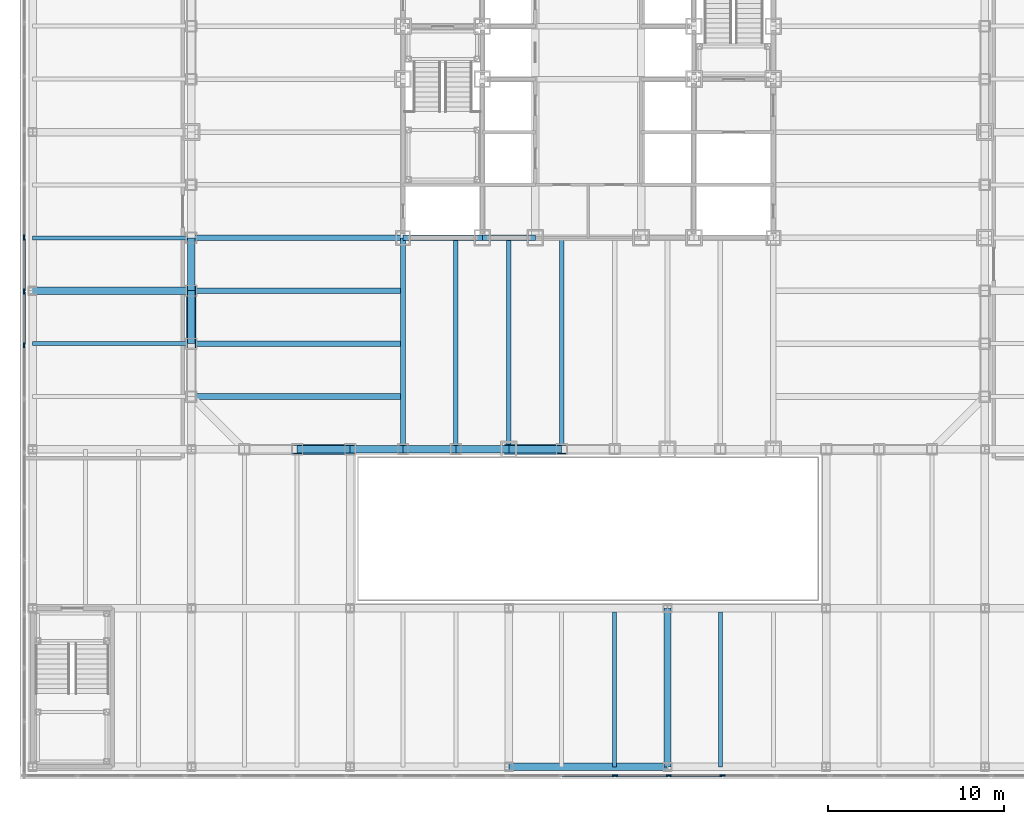
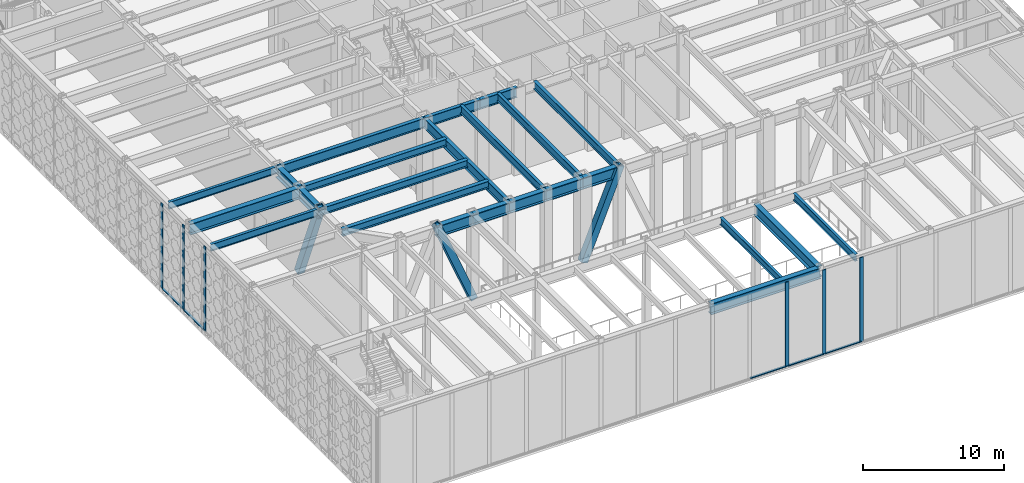
# One storey, part 4 of 34: 24 beams, 14 members, 2 elements without a shape of their own.
"""IFC4 building model written with IfcOpenShell, lengths in metres."""

from ifc_helpers import new_model, si_unit, direction, frame, origin, origin_2d, place, context, subcontext, project, spatial, rectangle, hollow_rectangle, i_section, extrude, material, layer, layer_set, material_profile, profile_set, type_object, element, aggregate, save


model = new_model("IFC4")

# Units and contexts
model_context = context("Model", 3, precision=1e-05, world=origin(), true_north=direction((0.0, 1.0)))
body_context = subcontext(model_context, "Body", "Model", "MODEL_VIEW")
ifc_project = project(units=[si_unit("LENGTHUNIT", "METRE"), si_unit("AREAUNIT", "SQUARE_METRE"), si_unit("VOLUMEUNIT", "CUBIC_METRE"), si_unit("PLANEANGLEUNIT", "RADIAN"), si_unit("MASSUNIT", "GRAM", prefix="KILO")], contexts=[model_context])

# Site, building, storey
site_placement = place(None, origin())
site = spatial("IfcSite", under=ifc_project, at=site_placement, CompositionType="ELEMENT")
building_placement = place(site_placement, origin())
building = spatial("IfcBuilding", under=site, at=building_placement, Name="Chuquiago Exchange Tower", CompositionType="ELEMENT")
storey_placement = place(building_placement, frame((0.0, 0.0, 6.0)))
storey = spatial("IfcBuildingStorey", under=building, at=storey_placement, Name="L01", CompositionType="ELEMENT", Elevation=6.0)

# Beams
ifc_material_1 = material(Name="Steel ASTM A992", Category="steel")
ifc_material_profile_1 = material_profile(ifc_material_1, i_section(OverallWidth=0.2919921875, OverallDepth=0.8583984375, WebThickness=0.01708984375, FlangeThickness=0.031005859375, at=origin_2d()), Name="W33X169")
ifc_profile_set_1 = profile_set([ifc_material_profile_1], Name="Steel ASTM A992")
beam_type_1 = type_object("IfcBeamType", Name="B3 W33X169", PredefinedType="BEAM", material=ifc_profile_set_1)
beam_1_placement = place(storey_placement, frame((12.0, 12.0, 6.87060546875), z_axis=(1.0, 0.0, 0.0), x_axis=(0.0, 1.0, 0.0)))
element("IfcBeam", 1, at=beam_1_placement, inside=storey, type_object=beam_type_1, Name="CB-L02-12_12-16.5_12", PredefinedType="BEAM", context=body_context, shape_type="SweptSolid", body=[
    extrude(i_section(OverallWidth=0.2919921875, OverallDepth=0.8583984375, WebThickness=0.01708984375, FlangeThickness=0.031005859375, at=origin_2d()), origin(), (0.0, 0.0, 1.0), 4.5),
])
beam_2_placement = place(storey_placement, frame((16.5, 12.0, 6.87060546875), z_axis=(1.0, 0.0, 0.0), x_axis=(0.0, 1.0, 0.0)))
element("IfcBeam", 2, at=beam_2_placement, inside=storey, type_object=beam_type_1, Name="CB-L02-16.5_12-19.5_12", PredefinedType="BEAM", context=body_context, shape_type="SweptSolid", body=[
    extrude(i_section(OverallWidth=0.2919921875, OverallDepth=0.8583984375, WebThickness=0.01708984375, FlangeThickness=0.031005859375, at=origin_2d()), origin(), (0.0, 0.0, 1.0), 3.0),
])
ifc_material_2 = material(Name="Steel ASTM A992", Category="steel")
ifc_material_profile_2 = material_profile(ifc_material_2, i_section(OverallWidth=0.256591796875, OverallDepth=0.693359375, WebThickness=0.014404296875, FlangeThickness=0.023681640625, at=origin_2d()), Name="W27X114")
ifc_profile_set_2 = profile_set([ifc_material_profile_2], Name="Steel ASTM A992")
beam_type_2 = type_object("IfcBeamType", Name="B4 W27X114", PredefinedType="BEAM", material=ifc_profile_set_2)
for number, where, z_axis, x_axis, name in (
    (3, (15.0, 12.0, 6.953369140625), (0.0, -1.0, 0.0), (1.0, 0.0, 0.0), "FB-L02-infill-15_12-15_-0-0"),
    (4, (18.0, 12.0, 6.953369140625), (0.0, -1.0, 0.0), (1.0, 0.0, 0.0), "FB-L02-infill-18_12-18_-0-0"),
    (5, (21.0, 12.0, 6.953369140625), (0.0, -1.0, 0.0), (1.0, 0.0, 0.0), "FB-L02-infill-21_12-21_-0-0"),
):
    element("IfcBeam", number, at=place(storey_placement, frame(where, z_axis=z_axis, x_axis=x_axis)), inside=storey, type_object=beam_type_2, Name=name, PredefinedType="BEAM", context=body_context, shape_type="SweptSolid", body=[
        extrude(i_section(OverallWidth=0.256591796875, OverallDepth=0.693359375, WebThickness=0.014404296875, FlangeThickness=0.023681640625, at=origin_2d()), origin(), (0.0, 0.0, 1.0), 12.0),
    ])
ifc_material_3 = material(Name="Steel ASTM A992", Category="steel")
ifc_material_profile_3 = material_profile(ifc_material_3, i_section(OverallWidth=0.3251953125, OverallDepth=0.6171875, WebThickness=0.013916015625, FlangeThickness=0.021484375, at=origin_2d()), Name="W24X117")
ifc_profile_set_3 = profile_set([ifc_material_profile_3], Name="Steel ASTM A992")
beam_type_3 = type_object("IfcBeamType", Name="B5 W24X117", PredefinedType="BEAM", material=ifc_profile_set_3)
for number, where, z_axis, x_axis, name in (
    (6, (12.0, 3.0, 6.991455078125), (-1.0, 0.0, 0.0), (0.0, -1.0, 0.0), "FB-L02-corner-12_3--0_3-0"),
    (7, (12.0, 6.0, 6.991455078125), (-1.0, 0.0, 0.0), (0.0, -1.0, 0.0), "FB-L02-corner-12_6--0_6-0"),
    (8, (12.0, 9.0, 6.991455078125), (-1.0, 0.0, 0.0), (0.0, -1.0, 0.0), "FB-L02-corner-12_9--0_9-0"),
):
    element("IfcBeam", number, at=place(storey_placement, frame(where, z_axis=z_axis, x_axis=x_axis)), inside=storey, type_object=beam_type_3, Name=name, PredefinedType="BEAM", context=body_context, shape_type="SweptSolid", body=[
        extrude(i_section(OverallWidth=0.3251953125, OverallDepth=0.6171875, WebThickness=0.013916015625, FlangeThickness=0.021484375, at=origin_2d()), origin(), (0.0, 0.0, 1.0), 12.0),
    ])

# Curtain wall, members
ifc_material_4 = material(Name="Aluminium curtain wall system", Category="aluminium")
ifc_layer = layer(ifc_material_4, 0.300048828125)
ifc_layer_set = layer_set([ifc_layer], Name="CW4 podium curtain wall")
curtain_wall_type = type_object("IfcCurtainWallType", Name="CW4 podium curtain wall", PredefinedType="NOTDEFINED", material=ifc_layer_set)
curtain_wall_1_placement = place(storey_placement, origin())
curtain_wall_1 = element("IfcCurtainWall", 9, at=curtain_wall_1_placement, inside=storey, type_object=curtain_wall_type, Name="CW4 curtain wall L01", PredefinedType="NOTDEFINED")
ifc_material_5 = material(Name="Aluminium mullion, pale anodised", Category="aluminium")
ifc_material_profile_4 = material_profile(ifc_material_5, rectangle(XDim=0.074951171875, YDim=0.300048828125, at=origin_2d()), Name="AL 75x300")
ifc_profile_set_4 = profile_set([ifc_material_profile_4], Name="Aluminium mullion, pale anodised")
member_type_1 = type_object("IfcMemberType", Name="CW4-M mullion 75x300", PredefinedType="MULLION", material=ifc_profile_set_4)
member_1_placement = place(storey_placement, frame((24.02392578125, -18.5, 0.0), z_axis=(0.0, 0.0, 1.0), x_axis=(0.0, 1.0, 0.0)))
member_1 = element("IfcMember", 10, at=member_1_placement, type_object=member_type_1, Name="CW4 mullion 12", PredefinedType="MULLION", context=body_context, shape_type="SweptSolid", body=[
    extrude(rectangle(XDim=0.074951171875, YDim=0.300048828125, at=origin_2d()), origin(), (0.0, 0.0, 1.0), 7.300048828125),
])
member_2_placement = place(storey_placement, frame((27.071533203125, -18.5, 0.0), z_axis=(0.0, 0.0, 1.0), x_axis=(0.0, 1.0, 0.0)))
member_2 = element("IfcMember", 11, at=member_2_placement, type_object=member_type_1, Name="CW4 mullion 13", PredefinedType="MULLION", context=body_context, shape_type="SweptSolid", body=[
    extrude(rectangle(XDim=0.074951171875, YDim=0.300048828125, at=origin_2d()), origin(), (0.0, 0.0, 1.0), 7.300048828125),
])
member_3_placement = place(storey_placement, frame((30.119140625, -18.5, 0.0), z_axis=(0.0, 0.0, 1.0), x_axis=(0.0, 1.0, 0.0)))
member_3 = element("IfcMember", 12, at=member_3_placement, type_object=member_type_1, Name="CW4 mullion 14", PredefinedType="MULLION", context=body_context, shape_type="SweptSolid", body=[
    extrude(rectangle(XDim=0.074951171875, YDim=0.300048828125, at=origin_2d()), origin(), (0.0, 0.0, 1.0), 7.300048828125),
])

curtain_wall_2_placement = place(storey_placement, origin())
curtain_wall_2 = element("IfcCurtainWall", 13, at=curtain_wall_2_placement, inside=storey, type_object=curtain_wall_type, Name="CW4 curtain wall L01", PredefinedType="NOTDEFINED")
member_4_placement = place(storey_placement, frame((-9.5, 12.011962890625, 0.0), z_axis=(0.0, 0.0, 1.0), x_axis=(1.0, 0.0, 0.0)))
member_4 = element("IfcMember", 14, at=member_4_placement, type_object=member_type_1, Name="CW4 mullion 12", PredefinedType="MULLION", context=body_context, shape_type="SweptSolid", body=[
    extrude(rectangle(XDim=0.074951171875, YDim=0.300048828125, at=origin_2d()), origin(), (0.0, 0.0, 1.0), 7.300048828125),
])
member_5_placement = place(storey_placement, frame((-9.5, 8.960693359375, 0.0), z_axis=(0.0, 0.0, 1.0), x_axis=(1.0, 0.0, 0.0)))
member_5 = element("IfcMember", 15, at=member_5_placement, type_object=member_type_1, Name="CW4 mullion 13", PredefinedType="MULLION", context=body_context, shape_type="SweptSolid", body=[
    extrude(rectangle(XDim=0.074951171875, YDim=0.300048828125, at=origin_2d()), origin(), (0.0, 0.0, 1.0), 7.300048828125),
])
member_6_placement = place(storey_placement, frame((-9.5, 5.909423828125, 0.0), z_axis=(0.0, 0.0, 1.0), x_axis=(1.0, 0.0, 0.0)))
member_6 = element("IfcMember", 16, at=member_6_placement, type_object=member_type_1, Name="CW4 mullion 14", PredefinedType="MULLION", context=body_context, shape_type="SweptSolid", body=[
    extrude(rectangle(XDim=0.074951171875, YDim=0.300048828125, at=origin_2d()), origin(), (0.0, 0.0, 1.0), 7.300048828125),
])

# Member
ifc_material_6 = material(Name="Aluminium transom, pale anodised", Category="aluminium")
ifc_material_profile_5 = material_profile(ifc_material_6, rectangle(XDim=0.179931640625, YDim=0.074951171875, at=origin_2d()), Name="AL 180x75")
ifc_profile_set_5 = profile_set([ifc_material_profile_5], Name="Aluminium transom, pale anodised")
member_type_2 = type_object("IfcMemberType", Name="CW4-T transom 75x180", PredefinedType="MULLION", material=ifc_profile_set_5)
member_7_placement = place(storey_placement, frame((21.013671875, -18.5, 0.03759765625), z_axis=(1.0, 0.0, 0.0), x_axis=(0.0, 1.0, 0.0)))
member_7 = element("IfcMember", 17, at=member_7_placement, type_object=member_type_2, Name="CW4 transom 11.1", PredefinedType="MULLION", context=body_context, shape_type="SweptSolid", body=[
    extrude(rectangle(XDim=0.179931640625, YDim=0.074951171875, at=origin_2d()), origin(), (0.0, 0.0, 1.0), 2.97265625),
])

member_8_placement = place(storey_placement, frame((24.061279296875, -18.5, 0.03759765625), z_axis=(1.0, 0.0, 0.0), x_axis=(0.0, 1.0, 0.0)))
member_8 = element("IfcMember", 18, at=member_8_placement, type_object=member_type_2, Name="CW4 transom 12.1", PredefinedType="MULLION", context=body_context, shape_type="SweptSolid", body=[
    extrude(rectangle(XDim=0.179931640625, YDim=0.074951171875, at=origin_2d()), origin(), (0.0, 0.0, 1.0), 2.97265625),
])

member_9_placement = place(storey_placement, frame((27.10888671875, -18.5, 0.03759765625), z_axis=(1.0, 0.0, 0.0), x_axis=(0.0, 1.0, 0.0)))
member_9 = element("IfcMember", 19, at=member_9_placement, type_object=member_type_2, Name="CW4 transom 13.1", PredefinedType="MULLION", context=body_context, shape_type="SweptSolid", body=[
    extrude(rectangle(XDim=0.179931640625, YDim=0.074951171875, at=origin_2d()), origin(), (0.0, 0.0, 1.0), 2.97265625),
])

aggregate(curtain_wall_1, [member_1, member_2, member_3, member_7, member_8, member_9])

member_10_placement = place(storey_placement, frame((-9.5, 11.974365234375, 0.03759765625), z_axis=(0.0, -1.0, 0.0), x_axis=(1.0, 0.0, 0.0)))
member_10 = element("IfcMember", 20, at=member_10_placement, type_object=member_type_2, Name="CW4 transom 12.1", PredefinedType="MULLION", context=body_context, shape_type="SweptSolid", body=[
    extrude(rectangle(XDim=0.179931640625, YDim=0.074951171875, at=origin_2d()), origin(), (0.0, 0.0, 1.0), 2.97607421875),
])

member_11_placement = place(storey_placement, frame((-9.5, 8.923095703125, 0.03759765625), z_axis=(0.0, -1.0, 0.0), x_axis=(1.0, 0.0, 0.0)))
member_11 = element("IfcMember", 21, at=member_11_placement, type_object=member_type_2, Name="CW4 transom 13.1", PredefinedType="MULLION", context=body_context, shape_type="SweptSolid", body=[
    extrude(rectangle(XDim=0.179931640625, YDim=0.074951171875, at=origin_2d()), origin(), (0.0, 0.0, 1.0), 2.97607421875),
])

aggregate(curtain_wall_2, [member_4, member_5, member_6, member_10, member_11])

# Beams
ifc_material_7 = material(Name="Steel ASTM A992", Category="steel")
ifc_material_profile_6 = material_profile(ifc_material_7, i_section(OverallWidth=0.2919921875, OverallDepth=0.8583984375, WebThickness=0.01708984375, FlangeThickness=0.031005859375, at=origin_2d()), Name="W33X169")
ifc_profile_set_6 = profile_set([ifc_material_profile_6], Name="Steel ASTM A992")
beam_type_4 = type_object("IfcBeamType", Name="G2 W33X169", PredefinedType="BEAM", material=ifc_profile_set_6)
for number, where, z_axis, x_axis, name in (
    (22, (12.0, 12.0, 6.87060546875), (0.0, -1.0, 0.0), (1.0, 0.0, 0.0), "FB-L02-girder-12_12-12_-0-0"),
    (23, (12.0, 12.0, 6.87060546875), (-1.0, 0.0, 0.0), (0.0, -1.0, 0.0), "FB-L02-girder-12_12--0_12-0"),
):
    element("IfcBeam", number, at=place(storey_placement, frame(where, z_axis=z_axis, x_axis=x_axis)), inside=storey, type_object=beam_type_4, Name=name, PredefinedType="BEAM", context=body_context, shape_type="SweptSolid", body=[
        extrude(i_section(OverallWidth=0.2919921875, OverallDepth=0.8583984375, WebThickness=0.01708984375, FlangeThickness=0.031005859375, at=origin_2d()), origin(), (0.0, 0.0, 1.0), 12.0),
    ])

# Members
ifc_material_8 = material(Name="Steel ASTM A572 Grade 50", Category="steel")
ifc_material_profile_7 = material_profile(ifc_material_8, hollow_rectangle(XDim=0.550048828125, YDim=0.550048828125, WallThickness=0.044921875, at=origin_2d()), Name="BOX550X550X45")
ifc_profile_set_7 = profile_set([ifc_material_profile_7], Name="Steel ASTM A572 Grade 50")
member_type_3 = type_object("IfcMemberType", Name="MB1 BOX550X550X45", PredefinedType="BRACE", material=ifc_profile_set_7)
for number, where, z_axis, x_axis, name in (
    (24, (9.0, 0.0, 0.0), (-0.378334309689, 0.0, 0.925669028385), (0.0, -1.0, 0.0), "Mega diagonal L01 S face"),
    (25, (18.0, 0.0, 0.0), (0.378334309689, 0.0, 0.925669028385), (0.0, 1.0, 0.0), "Mega diagonal L01 S face"),
    (26, (0.0, 9.0, 0.0), (0.0, -0.378334309689, 0.925669028385), (1.0, 0.0, 0.0), "Mega diagonal L01 W face"),
):
    element("IfcMember", number, at=place(storey_placement, frame(where, z_axis=z_axis, x_axis=x_axis)), inside=storey, type_object=member_type_3, Name=name, PredefinedType="BRACE", context=body_context, shape_type="SweptSolid", body=[
        extrude(hollow_rectangle(XDim=0.550048828125, YDim=0.550048828125, WallThickness=0.044921875, at=origin_2d()), origin(), (0.0, 0.0, 1.0), 7.929443359375),
    ])

# Beams
ifc_material_9 = material(Name="Steel ASTM A992", Category="steel")
ifc_material_profile_8 = material_profile(ifc_material_9, i_section(OverallWidth=0.227783203125, OverallDepth=0.60205078125, WebThickness=0.010498046875, FlangeThickness=0.014892578125, at=origin_2d()), Name="W24X68")
ifc_profile_set_8 = profile_set([ifc_material_profile_8], Name="Steel ASTM A992")
beam_type_5 = type_object("IfcBeamType", Name="PB1 W24X68", PredefinedType="BEAM", material=ifc_profile_set_8)
for number, where, z_axis, x_axis, name in (
    (27, (24.0, -18.0, 6.9990234375), (0.0, 1.0, 0.0), (-1.0, 0.0, 0.0), "PB-L02-24_-18"),
    (28, (30.0, -18.0, 6.9990234375), (0.0, 1.0, 0.0), (-1.0, 0.0, 0.0), "PB-L02-30_-18"),
):
    element("IfcBeam", number, at=place(storey_placement, frame(where, z_axis=z_axis, x_axis=x_axis)), inside=storey, type_object=beam_type_5, Name=name, PredefinedType="BEAM", context=body_context, shape_type="SweptSolid", body=[
        extrude(i_section(OverallWidth=0.227783203125, OverallDepth=0.60205078125, WebThickness=0.010498046875, FlangeThickness=0.014892578125, at=origin_2d()), origin(), (0.0, 0.0, 1.0), 8.787841796875),
    ])
for number, where, z_axis, x_axis, name in (
    (29, (-9.0, 6.0, 6.9990234375), (1.0, 0.0, 0.0), (0.0, 1.0, 0.0), "PB-L02--9_6"),
    (30, (-9.0, 12.0, 6.9990234375), (1.0, 0.0, 0.0), (0.0, 1.0, 0.0), "PB-L02--9_12"),
):
    element("IfcBeam", number, at=place(storey_placement, frame(where, z_axis=z_axis, x_axis=x_axis)), inside=storey, type_object=beam_type_5, Name=name, PredefinedType="BEAM", context=body_context, shape_type="SweptSolid", body=[
        extrude(i_section(OverallWidth=0.227783203125, OverallDepth=0.60205078125, WebThickness=0.010498046875, FlangeThickness=0.014892578125, at=origin_2d()), origin(), (0.0, 0.0, 1.0), 9.0),
    ])
ifc_material_10 = material(Name="Steel ASTM A992", Category="steel")
ifc_material_profile_9 = material_profile(ifc_material_10, i_section(OverallWidth=0.424072265625, OverallDepth=0.947509765625, WebThickness=0.02392578125, FlangeThickness=0.042724609375, at=origin_2d()), Name="W36X302")
ifc_profile_set_9 = profile_set([ifc_material_profile_9], Name="Steel ASTM A992")
beam_type_6 = type_object("IfcBeamType", Name="PG1 W36X302", PredefinedType="BEAM", material=ifc_profile_set_9)
for number, where, z_axis, x_axis, name in (
    (31, (27.0, -18.0, 6.826416015625), (0.0, 1.0, 0.0), (-1.0, 0.0, 0.0), "PG-L02-27_-18-27_-9"),
    (32, (18.0, -18.0, 6.826416015625), (1.0, 0.0, 0.0), (0.0, 1.0, 0.0), "PG-L02-18_-18-27_-18"),
    (33, (-9.0, 9.0, 6.826416015625), (1.0, 0.0, 0.0), (0.0, 1.0, 0.0), "PG-L02--9_9-0_9"),
):
    element("IfcBeam", number, at=place(storey_placement, frame(where, z_axis=z_axis, x_axis=x_axis)), inside=storey, type_object=beam_type_6, Name=name, PredefinedType="BEAM", context=body_context, shape_type="SweptSolid", body=[
        extrude(i_section(OverallWidth=0.424072265625, OverallDepth=0.947509765625, WebThickness=0.02392578125, FlangeThickness=0.042724609375, at=origin_2d()), origin(), (0.0, 0.0, 1.0), 9.0),
    ])
ifc_material_11 = material(Name="Steel ASTM A992", Category="steel")
ifc_material_profile_10 = material_profile(ifc_material_11, i_section(OverallWidth=0.4267578125, OverallDepth=0.95751953125, WebThickness=0.028564453125, FlangeThickness=0.050048828125, at=origin_2d()), Name="W36X361")
ifc_profile_set_10 = profile_set([ifc_material_profile_10], Name="Steel ASTM A992")
beam_type_7 = type_object("IfcBeamType", Name="SP1 W36X361", PredefinedType="SPANDREL", material=ifc_profile_set_10)
for number, where, z_axis, x_axis, name in (
    (34, (6.0, 0.0, 6.8212890625), (1.0, 0.0, 0.0), (0.0, 1.0, 0.0), "SPB-L02-6_0-9_0"),
    (35, (9.0, 0.0, 6.8212890625), (1.0, 0.0, 0.0), (0.0, 1.0, 0.0), "SPB-L02-9_0-12_0"),
    (36, (12.0, 0.0, 6.8212890625), (1.0, 0.0, 0.0), (0.0, 1.0, 0.0), "SPB-L02-12_0-15_0"),
    (37, (15.0, 0.0, 6.8212890625), (1.0, 0.0, 0.0), (0.0, 1.0, 0.0), "SPB-L02-15_0-18_0"),
    (38, (18.0, 0.0, 6.8212890625), (1.0, 0.0, 0.0), (0.0, 1.0, 0.0), "SPB-L02-18_0-21_0"),
    (39, (0.0, 12.0, 6.8212890625), (0.0, -1.0, 0.0), (1.0, 0.0, 0.0), "SPB-L02-0_12-0_9"),
    (40, (0.0, 9.0, 6.8212890625), (0.0, -1.0, 0.0), (1.0, 0.0, 0.0), "SPB-L02-0_9-0_6"),
):
    element("IfcBeam", number, at=place(storey_placement, frame(where, z_axis=z_axis, x_axis=x_axis)), inside=storey, type_object=beam_type_7, Name=name, PredefinedType="SPANDREL", context=body_context, shape_type="SweptSolid", body=[
        extrude(i_section(OverallWidth=0.4267578125, OverallDepth=0.95751953125, WebThickness=0.028564453125, FlangeThickness=0.050048828125, at=origin_2d()), origin(), (0.0, 0.0, 1.0), 3.0),
    ])

save(model, "model.ifc")
